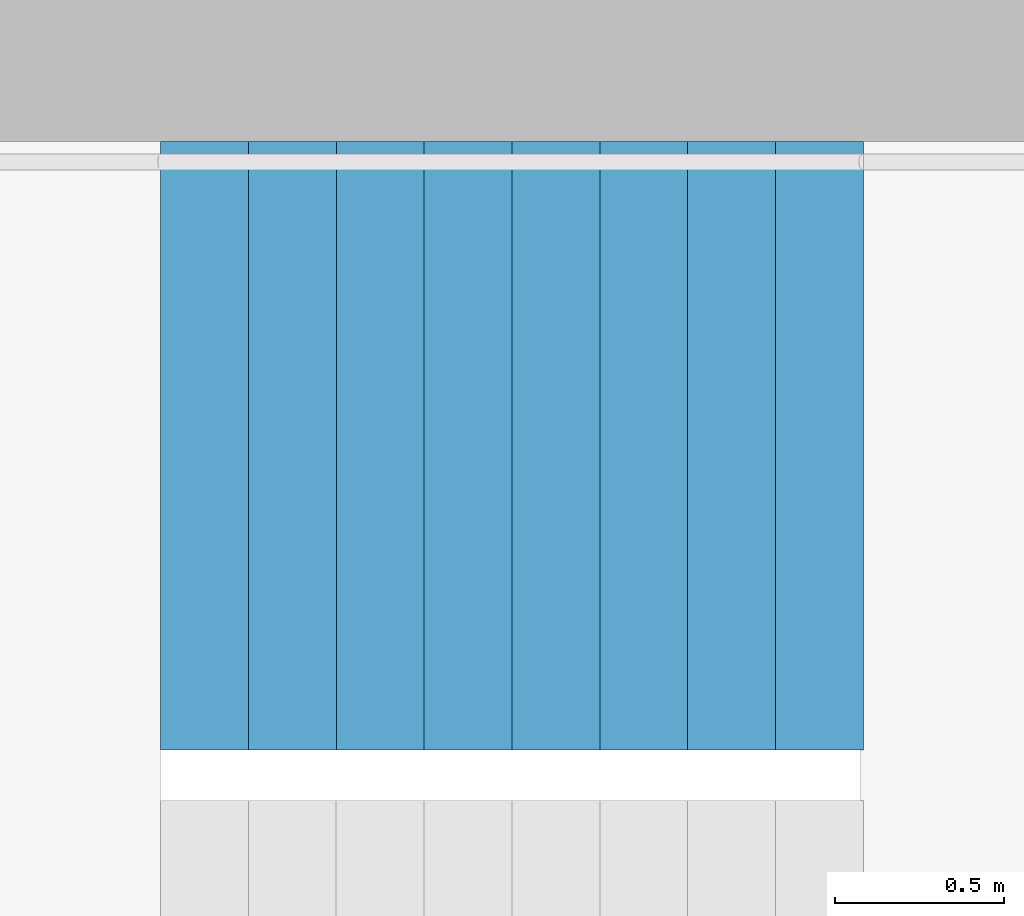
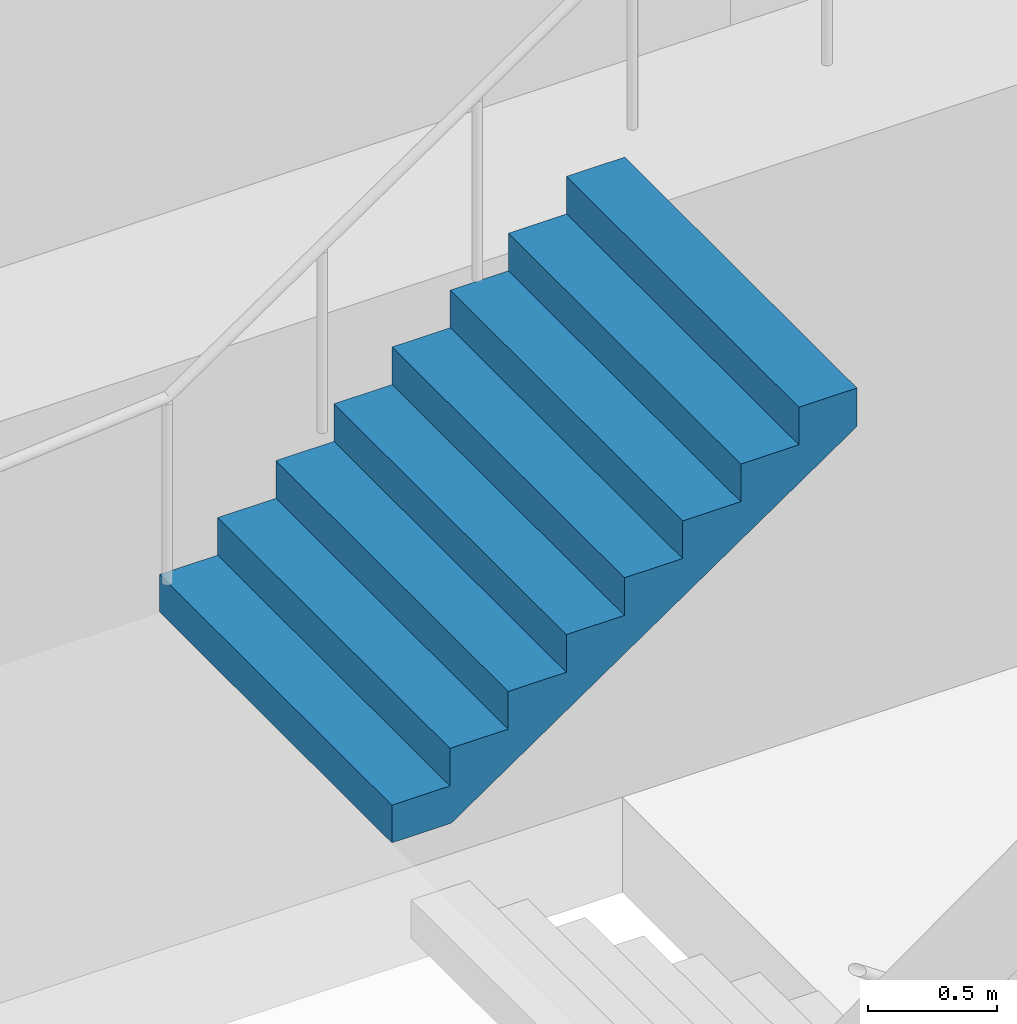
# One storey, part 25 of 30: 1 stair flight, 1 element without a shape of its own.
"""IFC4 building model written with IfcOpenShell, lengths in metres."""

from ifc_helpers import new_model, si_unit, direction, frame, origin, place, context, subcontext, project, spatial, triangles, material, type_object, element, aggregate, save


model = new_model("IFC4")

# Units and contexts
model_context = context("Model", 3, precision=1e-05, world=origin(), true_north=direction((0.0, 1.0)))
body_context = subcontext(model_context, "Body", "Model", "MODEL_VIEW")
ifc_project = project(units=[si_unit("LENGTHUNIT", "METRE"), si_unit("AREAUNIT", "SQUARE_METRE"), si_unit("VOLUMEUNIT", "CUBIC_METRE"), si_unit("PLANEANGLEUNIT", "RADIAN"), si_unit("MASSUNIT", "GRAM", prefix="KILO")], contexts=[model_context])

# Site, building, storey
site_placement = place(None, origin())
site = spatial("IfcSite", under=ifc_project, at=site_placement, CompositionType="ELEMENT")
building_placement = place(site_placement, origin())
building = spatial("IfcBuilding", under=site, at=building_placement, Name="Hakoniwa Tower and Hamabe Station Hall", CompositionType="ELEMENT")
storey_placement = place(building_placement, frame((0.0, 0.0, 245.39990234375)))
storey = spatial("IfcBuildingStorey", under=building, at=storey_placement, Name="L69", CompositionType="ELEMENT", Elevation=245.39990234375)

# Stair, stair flight
ifc_material_1 = material(Name="Concrete C40", Category="concrete")
stair_type = type_object("IfcStairType", Name="ESCAPE STAIR 1800", PredefinedType="HALF_TURN_STAIR", material=ifc_material_1)
stair_placement = place(storey_placement, origin())
stair = element("IfcStair", 1, at=stair_placement, inside=storey, type_object=stair_type, Name="Escape stair ST-3 L69", PredefinedType="HALF_TURN_STAIR")
ifc_material_2 = material(Name="Concrete C40", Category="concrete")
stair_flight_type = type_object("IfcStairFlightType", Name="STAIR FLIGHT 1800", PredefinedType="STRAIGHT", material=ifc_material_2)
stair_flight_placement = place(storey_placement, frame((22.320068359375, 6.60009765625, 1.60009765625), z_axis=(0.0, 0.0, 1.0), x_axis=(1.0, 0.0, 0.0)))
stair_flight = element("IfcStairFlight", 2, at=stair_flight_placement, type_object=stair_flight_type, Name="ST-3 flight 2", NumberOfRisers=9, NumberOfTreads=8, PredefinedType="STRAIGHT", RiserHeight=0.177777778, TreadLength=0.26, context=body_context, shape_type="Tessellation", body=[
    triangles([(0.0, 0.89990234375, 0.0), (0.260009765625, 0.89990234375, 0.0), (0.265625, 0.89990234375, 0.0), (0.52001953125, 0.89990234375, 0.174072265625), (0.780029296875, 0.89990234375, 0.351806640625), (1.0400390625, 0.89990234375, 0.529541015625), (1.300048828125, 0.89990234375, 0.707275390625), (1.56005859375, 0.89990234375, 0.885009765625), (1.820068359375, 0.89990234375, 1.062744140625), (2.080078125, 0.89990234375, 1.24072265625), (2.080078125, 0.89990234375, 1.422119140625), (1.820068359375, 0.89990234375, 1.422119140625), (1.820068359375, 0.89990234375, 1.244384765625), (1.56005859375, 0.89990234375, 1.244384765625), (1.56005859375, 0.89990234375, 1.066650390625), (1.300048828125, 0.89990234375, 1.066650390625), (1.300048828125, 0.89990234375, 0.888916015625), (1.0400390625, 0.89990234375, 0.888916015625), (1.0400390625, 0.89990234375, 0.711181640625), (0.780029296875, 0.89990234375, 0.711181640625), (0.780029296875, 0.89990234375, 0.533447265625), (0.52001953125, 0.89990234375, 0.533447265625), (0.52001953125, 0.89990234375, 0.35546875), (0.265625, 0.89990234375, 0.35546875), (0.260009765625, 0.89990234375, 0.35546875), (0.260009765625, 0.89990234375, 0.177734375), (0.0, 0.89990234375, 0.177734375), (0.0, 0.06005859375, 0.0), (0.260009765625, 0.06005859375, 0.0), (0.265625, 0.06005859375, 0.0), (0.52001953125, 0.06005859375, 0.174072265625), (0.780029296875, 0.06005859375, 0.351806640625), (1.0400390625, 0.06005859375, 0.529541015625), (1.300048828125, 0.06005859375, 0.707275390625), (1.56005859375, 0.06005859375, 0.885009765625), (1.820068359375, 0.06005859375, 1.062744140625), (2.080078125, 0.06005859375, 1.24072265625), (2.080078125, 0.06005859375, 1.422119140625), (1.820068359375, 0.06005859375, 1.422119140625), (1.820068359375, 0.06005859375, 1.244384765625), (1.56005859375, 0.06005859375, 1.244384765625), (1.56005859375, 0.06005859375, 1.066650390625), (1.300048828125, 0.06005859375, 1.066650390625), (1.300048828125, 0.06005859375, 0.888916015625), (1.0400390625, 0.06005859375, 0.888916015625), (1.0400390625, 0.06005859375, 0.711181640625), (0.780029296875, 0.06005859375, 0.711181640625), (0.780029296875, 0.06005859375, 0.533447265625), (0.52001953125, 0.06005859375, 0.533447265625), (0.52001953125, 0.06005859375, 0.35546875), (0.265625, 0.06005859375, 0.35546875), (0.260009765625, 0.06005859375, 0.35546875), (0.260009765625, 0.06005859375, 0.177734375), (0.0, 0.06005859375, 0.177734375), (0.0, 0.04296875, 0.0), (0.260009765625, 0.04296875, 0.0), (0.265625, 0.04296875, 0.0), (0.52001953125, 0.04296875, 0.174072265625), (0.780029296875, 0.04296875, 0.351806640625), (1.0400390625, 0.04296875, 0.529541015625), (1.300048828125, 0.04296875, 0.707275390625), (1.56005859375, 0.04296875, 0.885009765625), (1.820068359375, 0.04296875, 1.062744140625), (2.080078125, 0.04296875, 1.24072265625), (2.080078125, 0.04296875, 1.422119140625), (1.820068359375, 0.04296875, 1.422119140625), (1.820068359375, 0.04296875, 1.244384765625), (1.56005859375, 0.04296875, 1.244384765625), (1.56005859375, 0.04296875, 1.066650390625), (1.300048828125, 0.04296875, 1.066650390625), (1.300048828125, 0.04296875, 0.888916015625), (1.0400390625, 0.04296875, 0.888916015625), (1.0400390625, 0.04296875, 0.711181640625), (0.780029296875, 0.04296875, 0.711181640625), (0.780029296875, 0.04296875, 0.533447265625), (0.52001953125, 0.04296875, 0.533447265625), (0.52001953125, 0.04296875, 0.35546875), (0.265625, 0.04296875, 0.35546875), (0.260009765625, 0.04296875, 0.35546875), (0.260009765625, 0.04296875, 0.177734375), (0.0, 0.04296875, 0.177734375), (0.0, 0.025634765625, 0.0), (0.260009765625, 0.025634765625, 0.0), (0.265625, 0.025634765625, 0.0), (0.52001953125, 0.025634765625, 0.174072265625), (0.780029296875, 0.025634765625, 0.351806640625), (1.0400390625, 0.025634765625, 0.529541015625), (1.300048828125, 0.025634765625, 0.707275390625), (1.56005859375, 0.025634765625, 0.885009765625), (1.820068359375, 0.025634765625, 1.062744140625), (2.080078125, 0.025634765625, 1.24072265625), (2.080078125, 0.025634765625, 1.422119140625), (1.820068359375, 0.025634765625, 1.422119140625), (1.820068359375, 0.025634765625, 1.244384765625), (1.56005859375, 0.025634765625, 1.244384765625), (1.56005859375, 0.025634765625, 1.066650390625), (1.300048828125, 0.025634765625, 1.066650390625), (1.300048828125, 0.025634765625, 0.888916015625), (1.0400390625, 0.025634765625, 0.888916015625), (1.0400390625, 0.025634765625, 0.711181640625), (0.780029296875, 0.025634765625, 0.711181640625), (0.780029296875, 0.025634765625, 0.533447265625), (0.52001953125, 0.025634765625, 0.533447265625), (0.52001953125, 0.025634765625, 0.35546875), (0.265625, 0.025634765625, 0.35546875), (0.260009765625, 0.025634765625, 0.35546875), (0.260009765625, 0.025634765625, 0.177734375), (0.0, 0.025634765625, 0.177734375), (0.0, 0.008544921875, 0.0), (0.260009765625, 0.008544921875, 0.0), (0.265625, 0.008544921875, 0.0), (0.52001953125, 0.008544921875, 0.174072265625), (0.780029296875, 0.008544921875, 0.351806640625), (1.0400390625, 0.008544921875, 0.529541015625), (1.300048828125, 0.008544921875, 0.707275390625), (1.56005859375, 0.008544921875, 0.885009765625), (1.820068359375, 0.008544921875, 1.062744140625), (2.080078125, 0.008544921875, 1.24072265625), (2.080078125, 0.008544921875, 1.422119140625), (1.820068359375, 0.008544921875, 1.422119140625), (1.820068359375, 0.008544921875, 1.244384765625), (1.56005859375, 0.008544921875, 1.244384765625), (1.56005859375, 0.008544921875, 1.066650390625), (1.300048828125, 0.008544921875, 1.066650390625), (1.300048828125, 0.008544921875, 0.888916015625), (1.0400390625, 0.008544921875, 0.888916015625), (1.0400390625, 0.008544921875, 0.711181640625), (0.780029296875, 0.008544921875, 0.711181640625), (0.780029296875, 0.008544921875, 0.533447265625), (0.52001953125, 0.008544921875, 0.533447265625), (0.52001953125, 0.008544921875, 0.35546875), (0.265625, 0.008544921875, 0.35546875), (0.260009765625, 0.008544921875, 0.35546875), (0.260009765625, 0.008544921875, 0.177734375), (0.0, 0.008544921875, 0.177734375), (0.0, -0.008544921875, 0.0), (0.260009765625, -0.008544921875, 0.0), (0.265625, -0.008544921875, 0.0), (0.52001953125, -0.008544921875, 0.174072265625), (0.780029296875, -0.008544921875, 0.351806640625), (1.0400390625, -0.008544921875, 0.529541015625), (1.300048828125, -0.008544921875, 0.707275390625), (1.56005859375, -0.008544921875, 0.885009765625), (1.820068359375, -0.008544921875, 1.062744140625), (2.080078125, -0.008544921875, 1.24072265625), (2.080078125, -0.008544921875, 1.422119140625), (1.820068359375, -0.008544921875, 1.422119140625), (1.820068359375, -0.008544921875, 1.244384765625), (1.56005859375, -0.008544921875, 1.244384765625), (1.56005859375, -0.008544921875, 1.066650390625), (1.300048828125, -0.008544921875, 1.066650390625), (1.300048828125, -0.008544921875, 0.888916015625), (1.0400390625, -0.008544921875, 0.888916015625), (1.0400390625, -0.008544921875, 0.711181640625), (0.780029296875, -0.008544921875, 0.711181640625), (0.780029296875, -0.008544921875, 0.533447265625), (0.52001953125, -0.008544921875, 0.533447265625), (0.52001953125, -0.008544921875, 0.35546875), (0.265625, -0.008544921875, 0.35546875), (0.260009765625, -0.008544921875, 0.35546875), (0.260009765625, -0.008544921875, 0.177734375), (0.0, -0.008544921875, 0.177734375), (0.0, -0.025634765625, 0.0), (0.260009765625, -0.025634765625, 0.0), (0.265625, -0.025634765625, 0.0), (0.52001953125, -0.025634765625, 0.174072265625), (0.780029296875, -0.025634765625, 0.351806640625), (1.0400390625, -0.025634765625, 0.529541015625), (1.300048828125, -0.025634765625, 0.707275390625), (1.56005859375, -0.025634765625, 0.885009765625), (1.820068359375, -0.025634765625, 1.062744140625), (2.080078125, -0.025634765625, 1.24072265625), (2.080078125, -0.025634765625, 1.422119140625), (1.820068359375, -0.025634765625, 1.422119140625), (1.820068359375, -0.025634765625, 1.244384765625), (1.56005859375, -0.025634765625, 1.244384765625), (1.56005859375, -0.025634765625, 1.066650390625), (1.300048828125, -0.025634765625, 1.066650390625), (1.300048828125, -0.025634765625, 0.888916015625), (1.0400390625, -0.025634765625, 0.888916015625), (1.0400390625, -0.025634765625, 0.711181640625), (0.780029296875, -0.025634765625, 0.711181640625), (0.780029296875, -0.025634765625, 0.533447265625), (0.52001953125, -0.025634765625, 0.533447265625), (0.52001953125, -0.025634765625, 0.35546875), (0.265625, -0.025634765625, 0.35546875), (0.260009765625, -0.025634765625, 0.35546875), (0.260009765625, -0.025634765625, 0.177734375), (0.0, -0.025634765625, 0.177734375), (0.0, -0.04296875, 0.0), (0.260009765625, -0.04296875, 0.0), (0.265625, -0.04296875, 0.0), (0.52001953125, -0.04296875, 0.174072265625), (0.780029296875, -0.04296875, 0.351806640625), (1.0400390625, -0.04296875, 0.529541015625), (1.300048828125, -0.04296875, 0.707275390625), (1.56005859375, -0.04296875, 0.885009765625), (1.820068359375, -0.04296875, 1.062744140625), (2.080078125, -0.04296875, 1.24072265625), (2.080078125, -0.04296875, 1.422119140625), (1.820068359375, -0.04296875, 1.422119140625), (1.820068359375, -0.04296875, 1.244384765625), (1.56005859375, -0.04296875, 1.244384765625), (1.56005859375, -0.04296875, 1.066650390625), (1.300048828125, -0.04296875, 1.066650390625), (1.300048828125, -0.04296875, 0.888916015625), (1.0400390625, -0.04296875, 0.888916015625), (1.0400390625, -0.04296875, 0.711181640625), (0.780029296875, -0.04296875, 0.711181640625), (0.780029296875, -0.04296875, 0.533447265625), (0.52001953125, -0.04296875, 0.533447265625), (0.52001953125, -0.04296875, 0.35546875), (0.265625, -0.04296875, 0.35546875), (0.260009765625, -0.04296875, 0.35546875), (0.260009765625, -0.04296875, 0.177734375), (0.0, -0.04296875, 0.177734375), (0.0, -0.06005859375, 0.0), (0.260009765625, -0.06005859375, 0.0), (0.265625, -0.06005859375, 0.0), (0.52001953125, -0.06005859375, 0.174072265625), (0.780029296875, -0.06005859375, 0.351806640625), (1.0400390625, -0.06005859375, 0.529541015625), (1.300048828125, -0.06005859375, 0.707275390625), (1.56005859375, -0.06005859375, 0.885009765625), (1.820068359375, -0.06005859375, 1.062744140625), (2.080078125, -0.06005859375, 1.24072265625), (2.080078125, -0.06005859375, 1.422119140625), (1.820068359375, -0.06005859375, 1.422119140625), (1.820068359375, -0.06005859375, 1.244384765625), (1.56005859375, -0.06005859375, 1.244384765625), (1.56005859375, -0.06005859375, 1.066650390625), (1.300048828125, -0.06005859375, 1.066650390625), (1.300048828125, -0.06005859375, 0.888916015625), (1.0400390625, -0.06005859375, 0.888916015625), (1.0400390625, -0.06005859375, 0.711181640625), (0.780029296875, -0.06005859375, 0.711181640625), (0.780029296875, -0.06005859375, 0.533447265625), (0.52001953125, -0.06005859375, 0.533447265625), (0.52001953125, -0.06005859375, 0.35546875), (0.265625, -0.06005859375, 0.35546875), (0.260009765625, -0.06005859375, 0.35546875), (0.260009765625, -0.06005859375, 0.177734375), (0.0, -0.06005859375, 0.177734375), (0.0, -0.89990234375, 0.0), (0.260009765625, -0.89990234375, 0.0), (0.265625, -0.89990234375, 0.0), (0.52001953125, -0.89990234375, 0.174072265625), (0.780029296875, -0.89990234375, 0.351806640625), (1.0400390625, -0.89990234375, 0.529541015625), (1.300048828125, -0.89990234375, 0.707275390625), (1.56005859375, -0.89990234375, 0.885009765625), (1.820068359375, -0.89990234375, 1.062744140625), (2.080078125, -0.89990234375, 1.24072265625), (2.080078125, -0.89990234375, 1.422119140625), (1.820068359375, -0.89990234375, 1.422119140625), (1.820068359375, -0.89990234375, 1.244384765625), (1.56005859375, -0.89990234375, 1.244384765625), (1.56005859375, -0.89990234375, 1.066650390625), (1.300048828125, -0.89990234375, 1.066650390625), (1.300048828125, -0.89990234375, 0.888916015625), (1.0400390625, -0.89990234375, 0.888916015625), (1.0400390625, -0.89990234375, 0.711181640625), (0.780029296875, -0.89990234375, 0.711181640625), (0.780029296875, -0.89990234375, 0.533447265625), (0.52001953125, -0.89990234375, 0.533447265625), (0.52001953125, -0.89990234375, 0.35546875), (0.265625, -0.89990234375, 0.35546875), (0.260009765625, -0.89990234375, 0.35546875), (0.260009765625, -0.89990234375, 0.177734375), (0.0, -0.89990234375, 0.177734375)], [[2, 27, 26], [245, 269, 270], [2, 1, 27], [245, 270, 244], [3, 25, 24], [246, 267, 268], [3, 26, 25], [246, 268, 269], [3, 2, 26], [246, 269, 245], [4, 24, 23], [247, 266, 267], [4, 3, 24], [247, 267, 246], [5, 22, 21], [248, 264, 265], [5, 23, 22], [248, 265, 266], [5, 4, 23], [248, 266, 247], [6, 20, 19], [249, 262, 263], [6, 21, 20], [249, 263, 264], [6, 5, 21], [249, 264, 248], [7, 18, 17], [250, 260, 261], [7, 19, 18], [250, 261, 262], [7, 6, 19], [250, 262, 249], [8, 16, 15], [251, 258, 259], [8, 17, 16], [251, 259, 260], [8, 7, 17], [251, 260, 250], [9, 14, 13], [252, 256, 257], [9, 15, 14], [252, 257, 258], [9, 8, 15], [252, 258, 251], [10, 12, 11], [253, 254, 255], [10, 13, 12], [253, 255, 256], [10, 9, 13], [253, 256, 252], [1, 2, 29], [1, 29, 28], [28, 29, 56], [28, 56, 55], [55, 56, 83], [55, 83, 82], [82, 83, 110], [82, 110, 109], [109, 110, 137], [109, 137, 136], [136, 137, 164], [136, 164, 163], [163, 164, 191], [163, 191, 190], [190, 191, 218], [190, 218, 217], [217, 218, 245], [217, 245, 244], [2, 3, 30], [2, 30, 29], [29, 30, 57], [29, 57, 56], [56, 57, 84], [56, 84, 83], [83, 84, 111], [83, 111, 110], [110, 111, 138], [110, 138, 137], [137, 138, 165], [137, 165, 164], [164, 165, 192], [164, 192, 191], [191, 192, 219], [191, 219, 218], [218, 219, 246], [218, 246, 245], [3, 4, 31], [3, 31, 30], [30, 31, 58], [30, 58, 57], [57, 58, 85], [57, 85, 84], [84, 85, 112], [84, 112, 111], [111, 112, 139], [111, 139, 138], [138, 139, 166], [138, 166, 165], [165, 166, 193], [165, 193, 192], [192, 193, 220], [192, 220, 219], [219, 220, 247], [219, 247, 246], [4, 5, 32], [4, 32, 31], [31, 32, 59], [31, 59, 58], [58, 59, 86], [58, 86, 85], [85, 86, 113], [85, 113, 112], [112, 113, 140], [112, 140, 139], [139, 140, 167], [139, 167, 166], [166, 167, 194], [166, 194, 193], [193, 194, 221], [193, 221, 220], [220, 221, 248], [220, 248, 247], [5, 6, 33], [5, 33, 32], [32, 33, 60], [32, 60, 59], [59, 60, 87], [59, 87, 86], [86, 87, 114], [86, 114, 113], [113, 114, 141], [113, 141, 140], [140, 141, 168], [140, 168, 167], [167, 168, 195], [167, 195, 194], [194, 195, 222], [194, 222, 221], [221, 222, 249], [221, 249, 248], [6, 7, 34], [6, 34, 33], [33, 34, 61], [33, 61, 60], [60, 61, 88], [60, 88, 87], [87, 88, 115], [87, 115, 114], [114, 115, 142], [114, 142, 141], [141, 142, 169], [141, 169, 168], [168, 169, 196], [168, 196, 195], [195, 196, 223], [195, 223, 222], [222, 223, 250], [222, 250, 249], [7, 8, 35], [7, 35, 34], [34, 35, 62], [34, 62, 61], [61, 62, 89], [61, 89, 88], [88, 89, 116], [88, 116, 115], [115, 116, 143], [115, 143, 142], [142, 143, 170], [142, 170, 169], [169, 170, 197], [169, 197, 196], [196, 197, 224], [196, 224, 223], [223, 224, 251], [223, 251, 250], [8, 9, 36], [8, 36, 35], [35, 36, 63], [35, 63, 62], [62, 63, 90], [62, 90, 89], [89, 90, 117], [89, 117, 116], [116, 117, 144], [116, 144, 143], [143, 144, 171], [143, 171, 170], [170, 171, 198], [170, 198, 197], [197, 198, 225], [197, 225, 224], [224, 225, 252], [224, 252, 251], [9, 10, 37], [9, 37, 36], [36, 37, 64], [36, 64, 63], [63, 64, 91], [63, 91, 90], [90, 91, 118], [90, 118, 117], [117, 118, 145], [117, 145, 144], [144, 145, 172], [144, 172, 171], [171, 172, 199], [171, 199, 198], [198, 199, 226], [198, 226, 225], [225, 226, 253], [225, 253, 252], [10, 11, 38], [10, 38, 37], [37, 38, 65], [37, 65, 64], [64, 65, 92], [64, 92, 91], [91, 92, 119], [91, 119, 118], [118, 119, 146], [118, 146, 145], [145, 146, 173], [145, 173, 172], [172, 173, 200], [172, 200, 199], [199, 200, 227], [199, 227, 226], [226, 227, 254], [226, 254, 253], [11, 12, 39], [11, 39, 38], [38, 39, 66], [38, 66, 65], [65, 66, 93], [65, 93, 92], [92, 93, 120], [92, 120, 119], [119, 120, 147], [119, 147, 146], [146, 147, 174], [146, 174, 173], [173, 174, 201], [173, 201, 200], [200, 201, 228], [200, 228, 227], [227, 228, 255], [227, 255, 254], [12, 13, 40], [12, 40, 39], [39, 40, 67], [39, 67, 66], [66, 67, 94], [66, 94, 93], [93, 94, 121], [93, 121, 120], [120, 121, 148], [120, 148, 147], [147, 148, 175], [147, 175, 174], [174, 175, 202], [174, 202, 201], [201, 202, 229], [201, 229, 228], [228, 229, 256], [228, 256, 255], [13, 14, 41], [13, 41, 40], [40, 41, 68], [40, 68, 67], [67, 68, 95], [67, 95, 94], [94, 95, 122], [94, 122, 121], [121, 122, 149], [121, 149, 148], [148, 149, 176], [148, 176, 175], [175, 176, 203], [175, 203, 202], [202, 203, 230], [202, 230, 229], [229, 230, 257], [229, 257, 256], [14, 15, 42], [14, 42, 41], [41, 42, 69], [41, 69, 68], [68, 69, 96], [68, 96, 95], [95, 96, 123], [95, 123, 122], [122, 123, 150], [122, 150, 149], [149, 150, 177], [149, 177, 176], [176, 177, 204], [176, 204, 203], [203, 204, 231], [203, 231, 230], [230, 231, 258], [230, 258, 257], [15, 16, 43], [15, 43, 42], [42, 43, 70], [42, 70, 69], [69, 70, 97], [69, 97, 96], [96, 97, 124], [96, 124, 123], [123, 124, 151], [123, 151, 150], [150, 151, 178], [150, 178, 177], [177, 178, 205], [177, 205, 204], [204, 205, 232], [204, 232, 231], [231, 232, 259], [231, 259, 258], [16, 17, 44], [16, 44, 43], [43, 44, 71], [43, 71, 70], [70, 71, 98], [70, 98, 97], [97, 98, 125], [97, 125, 124], [124, 125, 152], [124, 152, 151], [151, 152, 179], [151, 179, 178], [178, 179, 206], [178, 206, 205], [205, 206, 233], [205, 233, 232], [232, 233, 260], [232, 260, 259], [17, 18, 45], [17, 45, 44], [44, 45, 72], [44, 72, 71], [71, 72, 99], [71, 99, 98], [98, 99, 126], [98, 126, 125], [125, 126, 153], [125, 153, 152], [152, 153, 180], [152, 180, 179], [179, 180, 207], [179, 207, 206], [206, 207, 234], [206, 234, 233], [233, 234, 261], [233, 261, 260], [18, 19, 46], [18, 46, 45], [45, 46, 73], [45, 73, 72], [72, 73, 100], [72, 100, 99], [99, 100, 127], [99, 127, 126], [126, 127, 154], [126, 154, 153], [153, 154, 181], [153, 181, 180], [180, 181, 208], [180, 208, 207], [207, 208, 235], [207, 235, 234], [234, 235, 262], [234, 262, 261], [19, 20, 47], [19, 47, 46], [46, 47, 74], [46, 74, 73], [73, 74, 101], [73, 101, 100], [100, 101, 128], [100, 128, 127], [127, 128, 155], [127, 155, 154], [154, 155, 182], [154, 182, 181], [181, 182, 209], [181, 209, 208], [208, 209, 236], [208, 236, 235], [235, 236, 263], [235, 263, 262], [20, 21, 48], [20, 48, 47], [47, 48, 75], [47, 75, 74], [74, 75, 102], [74, 102, 101], [101, 102, 129], [101, 129, 128], [128, 129, 156], [128, 156, 155], [155, 156, 183], [155, 183, 182], [182, 183, 210], [182, 210, 209], [209, 210, 237], [209, 237, 236], [236, 237, 264], [236, 264, 263], [21, 22, 49], [21, 49, 48], [48, 49, 76], [48, 76, 75], [75, 76, 103], [75, 103, 102], [102, 103, 130], [102, 130, 129], [129, 130, 157], [129, 157, 156], [156, 157, 184], [156, 184, 183], [183, 184, 211], [183, 211, 210], [210, 211, 238], [210, 238, 237], [237, 238, 265], [237, 265, 264], [22, 23, 50], [22, 50, 49], [49, 50, 77], [49, 77, 76], [76, 77, 104], [76, 104, 103], [103, 104, 131], [103, 131, 130], [130, 131, 158], [130, 158, 157], [157, 158, 185], [157, 185, 184], [184, 185, 212], [184, 212, 211], [211, 212, 239], [211, 239, 238], [238, 239, 266], [238, 266, 265], [23, 24, 51], [23, 51, 50], [50, 51, 78], [50, 78, 77], [77, 78, 105], [77, 105, 104], [104, 105, 132], [104, 132, 131], [131, 132, 159], [131, 159, 158], [158, 159, 186], [158, 186, 185], [185, 186, 213], [185, 213, 212], [212, 213, 240], [212, 240, 239], [239, 240, 267], [239, 267, 266], [24, 25, 52], [24, 52, 51], [51, 52, 79], [51, 79, 78], [78, 79, 106], [78, 106, 105], [105, 106, 133], [105, 133, 132], [132, 133, 160], [132, 160, 159], [159, 160, 187], [159, 187, 186], [186, 187, 214], [186, 214, 213], [213, 214, 241], [213, 241, 240], [240, 241, 268], [240, 268, 267], [25, 26, 53], [25, 53, 52], [52, 53, 80], [52, 80, 79], [79, 80, 107], [79, 107, 106], [106, 107, 134], [106, 134, 133], [133, 134, 161], [133, 161, 160], [160, 161, 188], [160, 188, 187], [187, 188, 215], [187, 215, 214], [214, 215, 242], [214, 242, 241], [241, 242, 269], [241, 269, 268], [26, 27, 54], [26, 54, 53], [53, 54, 81], [53, 81, 80], [80, 81, 108], [80, 108, 107], [107, 108, 135], [107, 135, 134], [134, 135, 162], [134, 162, 161], [161, 162, 189], [161, 189, 188], [188, 189, 216], [188, 216, 215], [215, 216, 243], [215, 243, 242], [242, 243, 270], [242, 270, 269], [27, 1, 28], [27, 28, 54], [54, 28, 55], [54, 55, 81], [81, 55, 82], [81, 82, 108], [108, 82, 109], [108, 109, 135], [135, 109, 136], [135, 136, 162], [162, 136, 163], [162, 163, 189], [189, 163, 190], [189, 190, 216], [216, 190, 217], [216, 217, 243], [243, 217, 244], [243, 244, 270]], closed=True),
])
aggregate(stair, [stair_flight])

save(model, "model.ifc")
